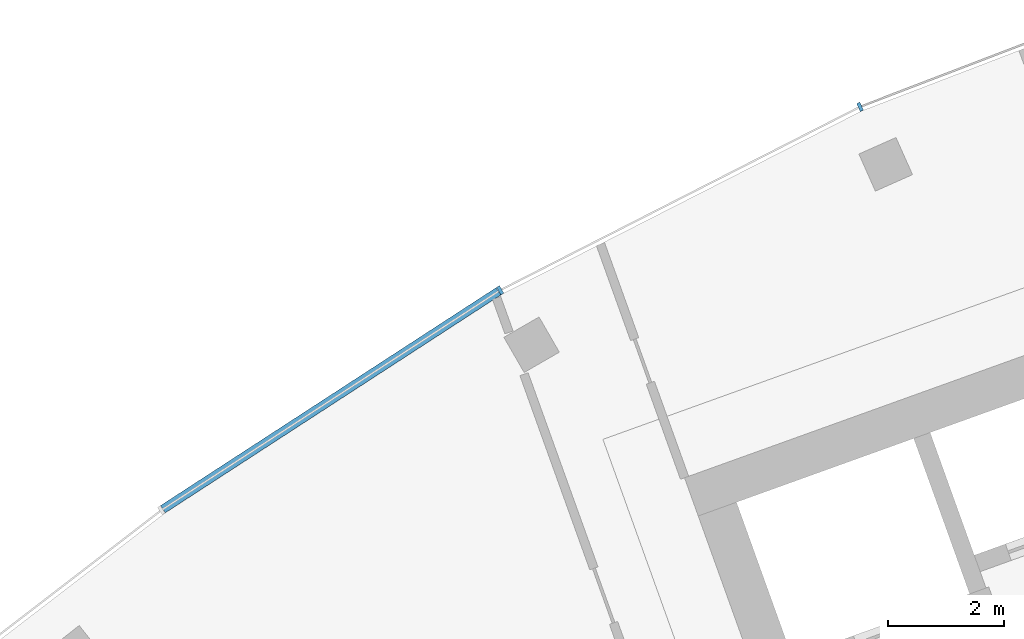
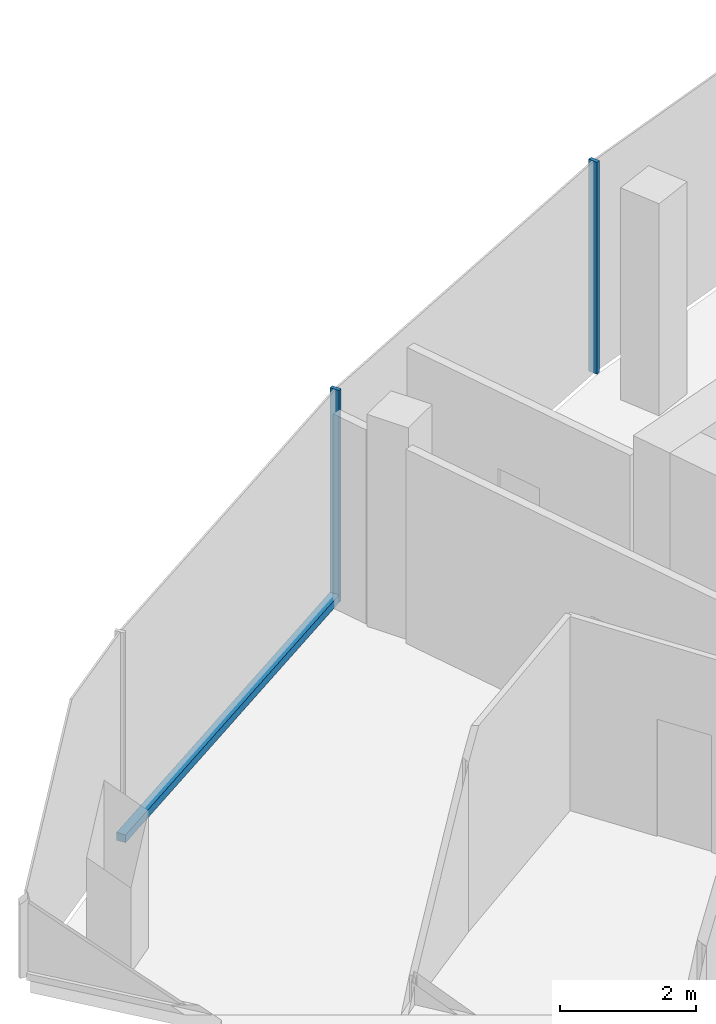
# One storey, part 4 of 18: 3 members, 1 element without a shape of its own.
"""IFC4 building model written with IfcOpenShell, lengths in metres."""

from ifc_helpers import new_model, si_unit, direction, frame, origin, origin_2d, place, context, subcontext, project, spatial, rectangle, extrude, material, layer, layer_set, material_profile, profile_set, type_object, element, aggregate, save


model = new_model("IFC4")

# Units and contexts
model_context = context("Model", 3, precision=1e-05, world=origin(), true_north=direction((0.0, 1.0)))
body_context = subcontext(model_context, "Body", "Model", "MODEL_VIEW")
ifc_project = project(units=[si_unit("LENGTHUNIT", "METRE"), si_unit("AREAUNIT", "SQUARE_METRE"), si_unit("VOLUMEUNIT", "CUBIC_METRE"), si_unit("PLANEANGLEUNIT", "RADIAN"), si_unit("MASSUNIT", "GRAM", prefix="KILO")], contexts=[model_context])

# Site, building, storey
site_placement = place(None, origin())
site = spatial("IfcSite", under=ifc_project, at=site_placement, CompositionType="ELEMENT")
building_placement = place(site_placement, origin())
building = spatial("IfcBuilding", under=site, at=building_placement, Name="Stone Belt Terrace Tower", CompositionType="ELEMENT")
storey_placement = place(building_placement, frame((0.0, 0.0, 273.199951171875)))
storey = spatial("IfcBuildingStorey", under=building, at=storey_placement, Name="L66", CompositionType="ELEMENT", Elevation=273.199951171875)

# Curtain wall, members
ifc_material = material(Name="Aluminium 6063-T6 anodised frame", Category="aluminium")
ifc_layer = layer(ifc_material, 0.14990234375)
ifc_layer_set = layer_set([ifc_layer], Name="CW-A unitised convex-face curtain wall")
curtain_wall_type = type_object("IfcCurtainWallType", Name="CW-A unitised convex-face curtain wall", PredefinedType="NOTDEFINED", material=ifc_layer_set)
curtain_wall_placement = place(storey_placement, origin())
curtain_wall = element("IfcCurtainWall", 1, at=curtain_wall_placement, inside=storey, type_object=curtain_wall_type, Name="CW-A convex face L66", PredefinedType="NOTDEFINED")
ifc_material_profile_1 = material_profile(ifc_material, rectangle(XDim=0.14990234375, YDim=0.06005859375, at=origin_2d()), Name="Aluminium 6063-T6 60x150")
ifc_profile_set_1 = profile_set([ifc_material_profile_1], Name="Aluminium 6063-T6 anodised frame")
member_type_1 = type_object("IfcMemberType", Name="CW-A mullion 60 x 150", PredefinedType="MULLION", material=ifc_profile_set_1)
member_1_placement = place(storey_placement, frame((-27.07861328125, 60.8193359375, 0.0), z_axis=(0.0, 0.0, 1.0), x_axis=(0.406736643076, -0.913545457643, 0.0)))
member_1 = element("IfcMember", 2, at=member_1_placement, type_object=member_type_1, Name="CW-A mullion 12", PredefinedType="MULLION", context=body_context, shape_type="SweptSolid", body=[
    extrude(rectangle(XDim=0.14990234375, YDim=0.06005859375, at=origin_2d()), origin(), (0.0, 0.0, 1.0), 3.800048828125),
])
member_2_placement = place(storey_placement, frame((-33.28759765625, 57.65576171875, 0.0), z_axis=(0.0, 0.0, 1.0), x_axis=(0.5, -0.866025403784, 0.0)))
member_2 = element("IfcMember", 3, at=member_2_placement, type_object=member_type_1, Name="CW-A mullion 13", PredefinedType="MULLION", context=body_context, shape_type="SweptSolid", body=[
    extrude(rectangle(XDim=0.14990234375, YDim=0.06005859375, at=origin_2d()), origin(), (0.0, 0.0, 1.0), 3.800048828125),
])
ifc_material_profile_2 = material_profile(ifc_material, rectangle(XDim=0.14990234375, YDim=0.139892578125, at=origin_2d()), Name="Aluminium 6063-T6 150x140")
ifc_profile_set_2 = profile_set([ifc_material_profile_2], Name="Aluminium 6063-T6 anodised frame")
member_type_2 = type_object("IfcMemberType", Name="CW-A transom 140 x 150", PredefinedType="USERDEFINED", material=ifc_profile_set_2)
member_3_placement = place(storey_placement, frame((-33.31591796875, 57.63720703125, 0.070068359375), z_axis=(-0.83868440714, -0.544617723931, 0.0), x_axis=(0.544617723931, -0.83868440714, 0.0)))
member_3 = element("IfcMember", 4, at=member_3_placement, type_object=member_type_2, Name="CW-A transom 13.1", ObjectType="TRANSOM", PredefinedType="USERDEFINED", context=body_context, shape_type="SweptSolid", body=[
    extrude(rectangle(XDim=0.14990234375, YDim=0.139892578125, at=origin_2d()), origin(), (0.0, 0.0, 1.0), 6.90087890625),
])
aggregate(curtain_wall, [member_1, member_2, member_3])

save(model, "model.ifc")
